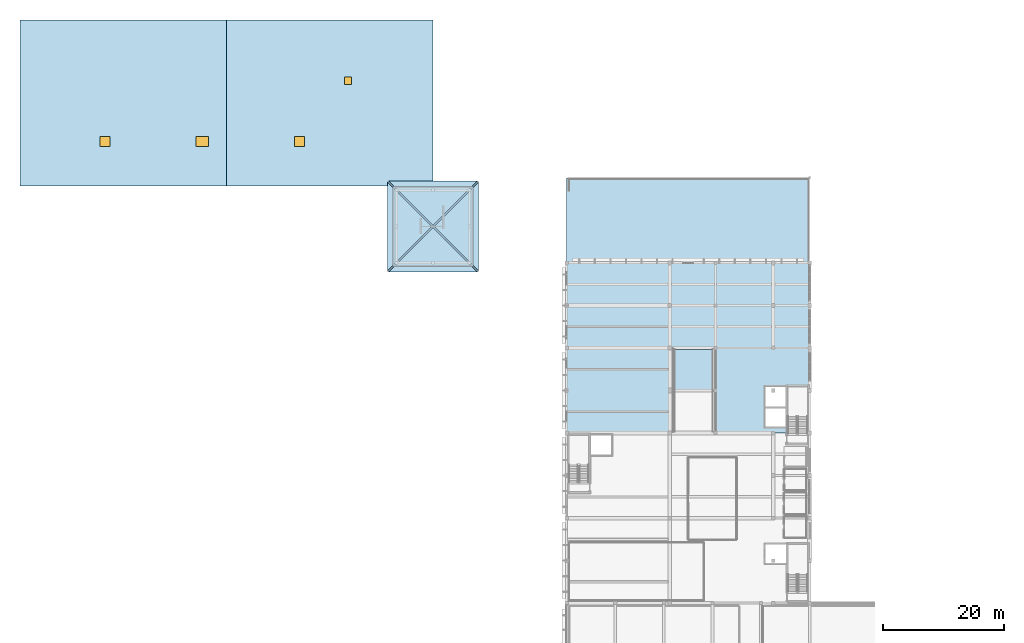
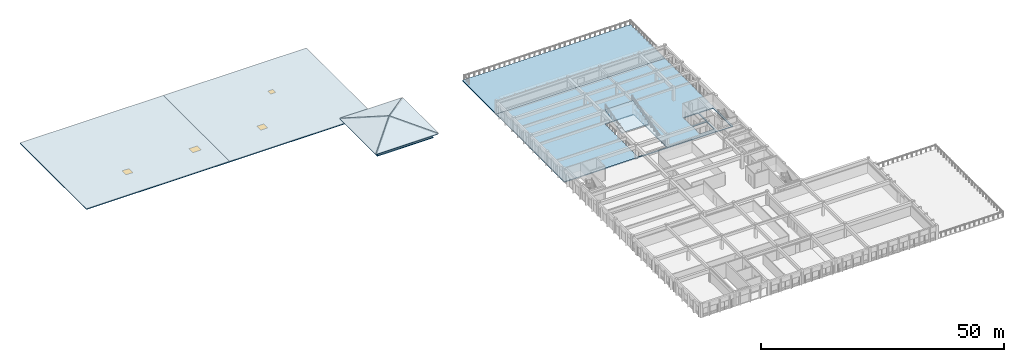
# One storey, part 19 of 33: 10 slabs, 4 windows, 4 openings, 1 element without a shape of its own.
"""IFC4 building model written with IfcOpenShell, lengths in metres."""

from ifc_helpers import new_model, si_unit, direction, frame, origin, origin_2d, place, context, subcontext, project, spatial, polyline, rectangle, outline, extrude, material, layer, layer_set, type_object, element, fill, aggregate, save


model = new_model("IFC4")

# Units and contexts
model_context = context("Model", 3, precision=1e-05, world=origin(), true_north=direction((0.0, 1.0)))
body_context = subcontext(model_context, "Body", "Model", "MODEL_VIEW")
ifc_project = project(units=[si_unit("LENGTHUNIT", "METRE"), si_unit("AREAUNIT", "SQUARE_METRE"), si_unit("VOLUMEUNIT", "CUBIC_METRE"), si_unit("PLANEANGLEUNIT", "RADIAN"), si_unit("MASSUNIT", "GRAM", prefix="KILO")], contexts=[model_context])

# Site, building, storey
site_placement = place(None, origin())
site = spatial("IfcSite", under=ifc_project, at=site_placement, CompositionType="ELEMENT")
building_placement = place(site_placement, origin())
building = spatial("IfcBuilding", under=site, at=building_placement, Name="Larkveld Mobility Hub", CompositionType="ELEMENT")
storey_placement = place(building_placement, frame((0.0, 0.0, 15.60009765625)))
storey = spatial("IfcBuildingStorey", under=building, at=storey_placement, Name="L04", CompositionType="ELEMENT", Elevation=15.60009765625)

# Slabs
ifc_material_1 = material(Name="Concrete C40/50", Category="concrete")
ifc_layer_1 = layer(ifc_material_1, 0.260009765625, Name="Concrete C40/50", Category="concrete")
ifc_layer_set_1 = layer_set([ifc_layer_1], Name="Concrete C40/50")
slab_type_1 = type_object("IfcSlabType", Name="SL-CON-260", PredefinedType="FLOOR", material=ifc_layer_set_1)
slab_1_placement = place(storey_placement, frame((0.0, 0.0, -0.260009765625)))
element("IfcSlab", 1, at=slab_1_placement, inside=storey, type_object=slab_type_1, Name="Pavilion Overrun Collar Slab L04-092", PredefinedType="FLOOR", context=body_context, shape_type="SweptSolid", body=[
    extrude(outline(polyline([(83.360107421875, 83.360107421875), (96.639892578125, 83.360107421875), (96.639892578125, 96.639892578125), (83.360107421875, 96.639892578125), (83.360107421875, 83.360107421875)])), origin(), (0.0, 0.0, 1.0), 0.260009765625),
])
ifc_layer_2 = layer(ifc_material_1, 0.22998046875, Name="Concrete C40/50", Category="concrete")
ifc_layer_set_2 = layer_set([ifc_layer_2], Name="Concrete C40/50")
slab_type_2 = type_object("IfcSlabType", Name="SL-FLR-230", PredefinedType="FLOOR", material=ifc_layer_set_2)
slab_2_placement = place(storey_placement, frame((0.0, 0.0, -0.22998046875)))
element("IfcSlab", 2, at=slab_2_placement, inside=storey, type_object=slab_type_2, Name="EV Wing and Sports Pavilion Slab L04-149", PredefinedType="FLOOR", context=body_context, shape_type="SweptSolid", body=[
    extrude(outline(polyline([(112.0, 56.0), (152.0, 56.0), (152.0, 84.0), (112.0, 84.0), (112.0, 56.0)]), holes=[polyline([(148.3798828125, 56.06005859375), (148.3798828125, 63.64990234375), (151.64990234375, 63.64990234375), (151.64990234375, 56.06005859375), (148.3798828125, 56.06005859375)]), polyline([(144.679931640625, 60.300048828125), (144.679931640625, 63.64990234375), (148.080078125, 63.64990234375), (148.080078125, 60.300048828125), (144.679931640625, 60.300048828125)]), polyline([(144.679931640625, 57.0), (144.679931640625, 60.080078125), (148.080078125, 60.080078125), (148.080078125, 57.0), (144.679931640625, 57.0)]), polyline([(129.580078125, 56.22998046875), (129.580078125, 69.830078125), (136.39990234375, 69.830078125), (136.39990234375, 56.22998046875), (129.580078125, 56.22998046875)])]), origin(), (0.0, 0.0, 1.0), 0.22998046875),
])

# Slab, openings, windows
ifc_layer_3 = layer(ifc_material_1, 0.219970703125, Name="Concrete C40/50", Category="concrete")
ifc_layer_set_3 = layer_set([ifc_layer_3], Name="Concrete C40/50")
slab_type_3 = type_object("IfcSlabType", Name="SL-RF-FLT220", PredefinedType="ROOF", material=ifc_layer_set_3)
slab_3_placement = place(storey_placement, frame((0.0, 0.0, -0.22021484375)))
slab_3 = element("IfcSlab", 3, at=slab_3_placement, inside=storey, type_object=slab_type_3, Name="Bicycle Hall Overhanging Roof Slab L04-111", PredefinedType="ROOF", context=body_context, shape_type="SweptSolid", body=[
    extrude(outline(polyline([(22.0, 96.699951171875), (56.0, 96.699951171875), (56.0, 124.0), (22.0, 124.0), (22.0, 96.699951171875)])), origin(), (0.0, 0.0, 1.0), 0.22021484375),
])
opening_1_placement = place(slab_3_placement, frame((36.0, 104.0, 0.0)))
opening_1 = element("IfcOpeningElement", 4, at=opening_1_placement, cuts=slab_3, Name="Opening SK01", PredefinedType="OPENING", context=body_context, shape_type="SweptSolid", body=[
    extrude(rectangle(XDim=1.60009765625, YDim=1.60009765625, at=origin_2d()), frame((0.0, 0.0, -0.010009765625)), (0.0, 0.0, 1.0), 0.240234375),
])
opening_2_placement = place(slab_3_placement, frame((52.0, 104.0, 0.0)))
opening_2 = element("IfcOpeningElement", 5, at=opening_2_placement, cuts=slab_3, Name="Opening SK02", PredefinedType="OPENING", context=body_context, shape_type="SweptSolid", body=[
    extrude(rectangle(XDim=2.0, YDim=1.60009765625, at=origin_2d()), frame((0.0, 0.0, -0.010009765625)), (0.0, 0.0, 1.0), 0.240234375),
])
ifc_material_2 = material(Name="Laminated solar-control roof skylight", Category="glass")
window_type_1 = type_object("IfcWindowType", Name="SK-ALU-01", PartitioningType="SINGLE_PANEL", PredefinedType="SKYLIGHT", material=ifc_material_2)
window_1_placement = place(opening_1_placement, frame((0.0, 0.0, 0.170166015625)))
window_1 = element("IfcWindow", 6, at=window_1_placement, inside=storey, type_object=window_type_1, Name="Roof Daylight Skylight SK-01", OverallHeight=1.60009765625, OverallWidth=1.60009765625, PartitioningType="SINGLE_PANEL", PredefinedType="SKYLIGHT", context=body_context, shape_type="SweptSolid", body=[
    extrude(rectangle(XDim=1.60009765625, YDim=1.60009765625, at=origin_2d()), origin(), (0.0, 0.0, 1.0), 0.050048828125),
])
fill(opening_1, window_1)
window_type_2 = type_object("IfcWindowType", Name="SK-ALU-02", PartitioningType="SINGLE_PANEL", PredefinedType="SKYLIGHT", material=ifc_material_2)
window_2_placement = place(opening_2_placement, frame((0.0, 0.0, 0.170166015625)))
window_2 = element("IfcWindow", 7, at=window_2_placement, inside=storey, type_object=window_type_2, Name="Roof Daylight Skylight SK-02", OverallHeight=1.60009765625, OverallWidth=2.0, PartitioningType="SINGLE_PANEL", PredefinedType="SKYLIGHT", context=body_context, shape_type="SweptSolid", body=[
    extrude(rectangle(XDim=2.0, YDim=1.60009765625, at=origin_2d()), origin(), (0.0, 0.0, 1.0), 0.050048828125),
])
fill(opening_2, window_2)

slab_4_placement = place(storey_placement, frame((0.0, 0.0, -0.22021484375)))
slab_4 = element("IfcSlab", 8, at=slab_4_placement, inside=storey, type_object=slab_type_3, Name="Bicycle Hall Overhanging Roof Slab L04-112", PredefinedType="ROOF", context=body_context, shape_type="SweptSolid", body=[
    extrude(outline(polyline([(56.0, 96.699951171875), (90.0, 96.699951171875), (90.0, 124.0), (56.0, 124.0), (56.0, 96.699951171875)])), origin(), (0.0, 0.0, 1.0), 0.22021484375),
])
opening_3_placement = place(slab_4_placement, frame((68.0, 104.0, 0.0)))
opening_3 = element("IfcOpeningElement", 9, at=opening_3_placement, cuts=slab_4, Name="Opening SK01", PredefinedType="OPENING", context=body_context, shape_type="SweptSolid", body=[
    extrude(rectangle(XDim=1.60009765625, YDim=1.60009765625, at=origin_2d()), frame((0.0, 0.0, -0.010009765625)), (0.0, 0.0, 1.0), 0.240234375),
])
opening_4_placement = place(slab_4_placement, frame((76.0, 114.0, 0.0)))
opening_4 = element("IfcOpeningElement", 10, at=opening_4_placement, cuts=slab_4, Name="Opening SK03", PredefinedType="OPENING", context=body_context, shape_type="SweptSolid", body=[
    extrude(rectangle(XDim=1.199951171875, YDim=1.199951171875, at=origin_2d()), frame((0.0, 0.0, -0.010009765625)), (0.0, 0.0, 1.0), 0.240234375),
])
window_3_placement = place(opening_3_placement, frame((0.0, 0.0, 0.170166015625)))
window_3 = element("IfcWindow", 11, at=window_3_placement, inside=storey, type_object=window_type_1, Name="Roof Daylight Skylight SK-03", OverallHeight=1.60009765625, OverallWidth=1.60009765625, PartitioningType="SINGLE_PANEL", PredefinedType="SKYLIGHT", context=body_context, shape_type="SweptSolid", body=[
    extrude(rectangle(XDim=1.60009765625, YDim=1.60009765625, at=origin_2d()), origin(), (0.0, 0.0, 1.0), 0.050048828125),
])
fill(opening_3, window_3)
ifc_material_3 = material(Name="Insulated aluminium roof maintenance hatch", Category="aluminium")
window_type_3 = type_object("IfcWindowType", Name="SK-HTCH-01", PartitioningType="SINGLE_PANEL", PredefinedType="SKYLIGHT", material=ifc_material_3)
window_4_placement = place(opening_4_placement, frame((0.0, 0.0, 0.170166015625)))
window_4 = element("IfcWindow", 12, at=window_4_placement, inside=storey, type_object=window_type_3, Name="Roof Daylight Skylight SK-04", OverallHeight=1.199951171875, OverallWidth=1.199951171875, PartitioningType="SINGLE_PANEL", PredefinedType="SKYLIGHT", context=body_context, shape_type="SweptSolid", body=[
    extrude(rectangle(XDim=1.199951171875, YDim=1.199951171875, at=origin_2d()), origin(), (0.0, 0.0, 1.0), 0.050048828125),
])
fill(opening_4, window_4)

# Roof, slabs
ifc_material_4 = material(Name="Precast concrete C50/60", Category="concrete")
roof_type = type_object("IfcRoofType", Name="ROF-HIP-01", PredefinedType="HIP_ROOF", material=ifc_material_4)
roof_placement = place(storey_placement, origin())
roof = element("IfcRoof", 13, at=roof_placement, inside=storey, type_object=roof_type, Name="Brick Stair Pavilion Closed Pyramidal Hipped Roof", PredefinedType="HIP_ROOF")
ifc_layer_4 = layer(ifc_material_4, 0.169921875, Name="Precast concrete C50/60", Category="concrete")
ifc_layer_set_4 = layer_set([ifc_layer_4], Name="Precast concrete C50/60")
slab_type_4 = type_object("IfcSlabType", Name="SL-RF-PAV170", PredefinedType="ROOF", material=ifc_layer_set_4)
slab_5_placement = place(storey_placement, frame((82.679931640625, 82.5, 1.0498046875), z_axis=(0.0, -0.322038020965, 0.946726736209), x_axis=(1.0, 0.0, 0.0)))
slab_5 = element("IfcSlab", 14, at=slab_5_placement, type_object=slab_type_4, Name="Pavilion Closed Roof Facet 1", PredefinedType="ROOF", context=body_context, shape_type="SweptSolid", body=[
    extrude(outline(polyline([(0.0, 0.0), (14.64013671875, 0.0), (7.320068359375, 7.731975953998167), (0.0, 0.0)])), origin(), (0.0, 0.0, -1.0), 0.169921875),
])
slab_6_placement = place(storey_placement, frame((97.5, 82.679931640625, 1.0498046875), z_axis=(0.322038020965, 0.0, 0.946726736209), x_axis=(0.0, 1.0, 0.0)))
slab_6 = element("IfcSlab", 15, at=slab_6_placement, type_object=slab_type_4, Name="Pavilion Closed Roof Facet 2", PredefinedType="ROOF", context=body_context, shape_type="SweptSolid", body=[
    extrude(outline(polyline([(0.0, 0.0), (14.64013671875, 0.0), (7.320068359375, 7.731975953998167), (0.0, 0.0)])), origin(), (0.0, 0.0, -1.0), 0.169921875),
])
slab_7_placement = place(storey_placement, frame((97.320068359375, 97.5, 1.0498046875), z_axis=(0.0, 0.322038020965, 0.946726736209), x_axis=(-1.0, 0.0, 0.0)))
slab_7 = element("IfcSlab", 16, at=slab_7_placement, type_object=slab_type_4, Name="Pavilion Closed Roof Facet 3", PredefinedType="ROOF", context=body_context, shape_type="SweptSolid", body=[
    extrude(outline(polyline([(0.0, 0.0), (14.64013671875, 0.0), (7.320068359375, 7.731975953998167), (0.0, 0.0)])), origin(), (0.0, 0.0, -1.0), 0.169921875),
])
slab_8_placement = place(storey_placement, frame((82.5, 97.320068359375, 1.0498046875), z_axis=(-0.322038020965, 0.0, 0.946726736209), x_axis=(0.0, -1.0, 0.0)))
slab_8 = element("IfcSlab", 17, at=slab_8_placement, type_object=slab_type_4, Name="Pavilion Closed Roof Facet 4", PredefinedType="ROOF", context=body_context, shape_type="SweptSolid", body=[
    extrude(outline(polyline([(0.0, 0.0), (14.64013671875, 0.0), (7.320068359375, 7.731975953998167), (0.0, 0.0)])), origin(), (0.0, 0.0, -1.0), 0.169921875),
])
aggregate(roof, [slab_5, slab_6, slab_7, slab_8])

# Slabs
ifc_layer_5 = layer(ifc_material_1, 0.239990234375, Name="Concrete C40/50", Category="concrete")
ifc_layer_set_5 = layer_set([ifc_layer_5], Name="Concrete C40/50")
slab_type_5 = type_object("IfcSlabType", Name="SL-RMP-EV-240", PredefinedType="FLOOR", material=ifc_layer_set_5)
slab_9_placement = place(storey_placement, frame((129.60009765625, 63.0, 1.7998046875), z_axis=(0.0, -0.257669176053, 0.966233199446), x_axis=(1.0, 0.0, 0.0)))
element("IfcSlab", 18, at=slab_9_placement, inside=storey, type_object=slab_type_5, Name="EV car park inter-deck vehicle ramp slab L04-2", PredefinedType="FLOOR", context=body_context, shape_type="SweptSolid", body=[
    extrude(outline(polyline([(0.0, 0.0), (6.599853515625, 0.0), (6.599853515625, 6.985891194660433), (0.0, 6.985891194660433), (0.0, 0.0)])), origin(), (0.0, 0.0, -1.0), 0.239990234375),
])
ifc_layer_6 = layer(ifc_material_1, 0.22509765625, Name="Concrete C40/50", Category="concrete")
ifc_layer_set_6 = layer_set([ifc_layer_6], Name="Concrete C40/50")
slab_type_6 = type_object("IfcSlabType", Name="SL-TER-225", PredefinedType="FLOOR", material=ifc_layer_set_6)
slab_10_placement = place(storey_placement, frame((0.0, 0.0, -0.22509765625)))
element("IfcSlab", 19, at=slab_10_placement, inside=storey, type_object=slab_type_6, Name="Stepped North Terrace and Veranda Slab L04-150", PredefinedType="FLOOR", context=body_context, shape_type="SweptSolid", body=[
    extrude(outline(polyline([(112.0, 84.0), (152.0, 84.0), (152.0, 98.0), (112.0, 98.0), (112.0, 84.0)])), origin(), (0.0, 0.0, 1.0), 0.22509765625),
])

save(model, "model.ifc")
